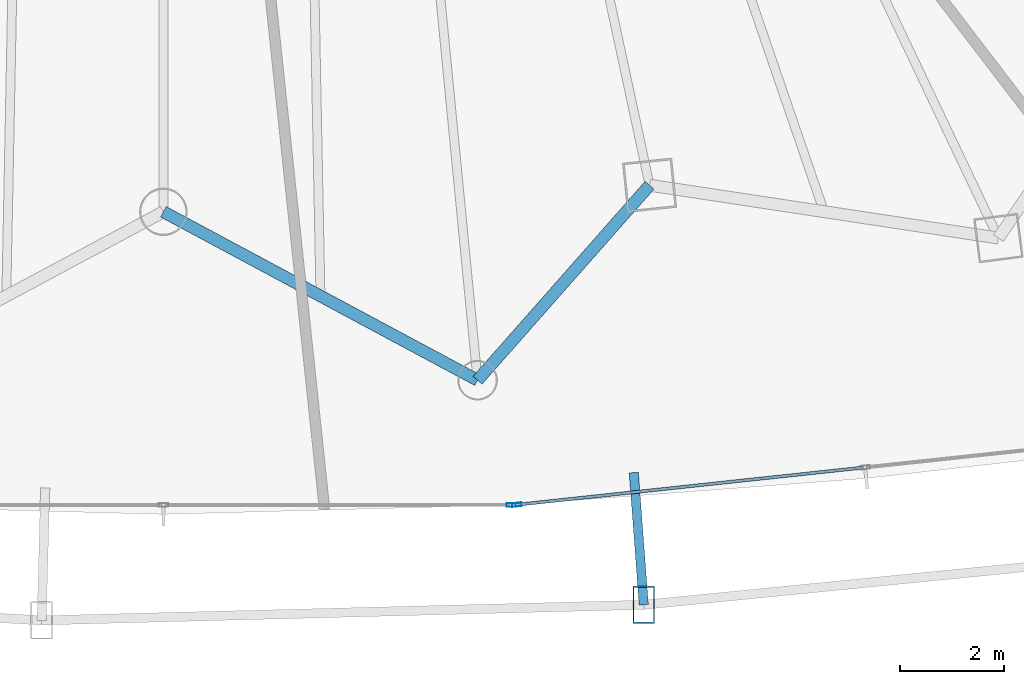
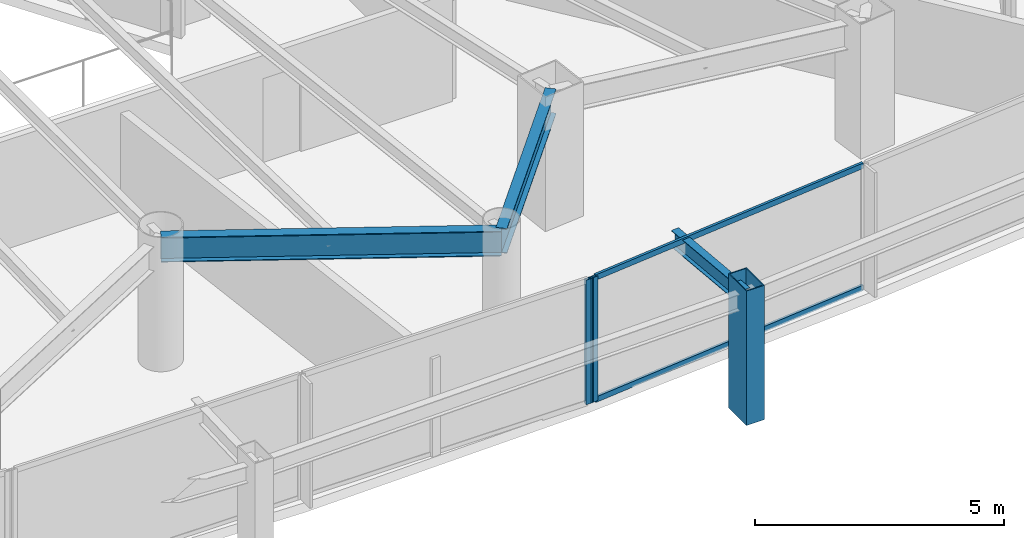
# One storey, part 13 of 35: 5 members, 3 beams, 2 elements without a shape of their own.
"""IFC4 building model written with IfcOpenShell, lengths in metres."""

from ifc_helpers import new_model, si_unit, direction, frame, origin, origin_2d, place, context, subcontext, project, spatial, hollow_rectangle, i_section, extrude, material, layer, layer_set, material_profile, profile_set, type_object, element, aggregate, save


model = new_model("IFC4")

# Units and contexts
model_context = context("Model", 3, precision=1e-05, world=origin(), true_north=direction((0.0, 1.0)))
body_context = subcontext(model_context, "Body", "Model", "MODEL_VIEW")
ifc_project = project(units=[si_unit("LENGTHUNIT", "METRE"), si_unit("AREAUNIT", "SQUARE_METRE"), si_unit("VOLUMEUNIT", "CUBIC_METRE"), si_unit("PLANEANGLEUNIT", "RADIAN"), si_unit("MASSUNIT", "GRAM", prefix="KILO")], contexts=[model_context])

# Site, building, storey
site_placement = place(None, origin())
site = spatial("IfcSite", under=ifc_project, at=site_placement, CompositionType="ELEMENT")
building_placement = place(site_placement, origin())
building = spatial("IfcBuilding", under=site, at=building_placement, Name="Orvanel Arch Residences", CompositionType="ELEMENT")
storey_placement = place(building_placement, frame((0.0, 0.0, 26.89990234375)))
storey = spatial("IfcBuildingStorey", under=building, at=storey_placement, Name="L06", CompositionType="ELEMENT", Elevation=26.89990234375)

# Member
ifc_material_1 = material(Name="Structural steel AS/NZS 3678 Grade 350", Category="steel")
ifc_material_profile_1 = material_profile(ifc_material_1, hollow_rectangle(XDim=0.419921875, YDim=0.719970703125, WallThickness=0.02490234375, at=origin_2d()), Name="RHS720x420x25")
ifc_profile_set_1 = profile_set([ifc_material_profile_1], Name="Structural steel AS/NZS 3678 Grade 350")
member_type_1 = type_object("IfcMemberType", Name="CH-720RHS-EXT", PredefinedType="CHORD", material=ifc_profile_set_1)
member_1_placement = place(storey_placement, frame((42.239013671875, -0.714111328125, 0.0), z_axis=(0.0, 0.0, 1.0), x_axis=(1.0, 0.0, 0.0)))
element("IfcMember", 1, at=member_1_placement, inside=storey, type_object=member_type_1, Name="L06 Outer Perimeter Frame Post 07", PredefinedType="CHORD", context=body_context, shape_type="SweptSolid", body=[
    extrude(hollow_rectangle(XDim=0.419921875, YDim=0.719970703125, WallThickness=0.02490234375, at=origin_2d()), origin(), (0.0, 0.0, 1.0), 3.300048828125),
])

# Curtain wall, member
ifc_material_2 = material(Name="Bronze-anodised aluminium AA6063-T6", Category="aluminium")
ifc_layer = layer(ifc_material_2, 0.179931640625)
ifc_layer_set = layer_set([ifc_layer], Name="Bronze-anodised aluminium AA6063-T6")
curtain_wall_type = type_object("IfcCurtainWallType", Name="CW2-LOW-SYS", PredefinedType="NOTDEFINED", material=ifc_layer_set)
curtain_wall_1_placement = place(storey_placement, origin())
curtain_wall_1 = element("IfcCurtainWall", 2, at=curtain_wall_1_placement, inside=storey, type_object=curtain_wall_type, Name="L06 CW2-LOW-SYS Unitised Curtain Wall", PredefinedType="NOTDEFINED")
ifc_material_profile_2 = material_profile(ifc_material_2, hollow_rectangle(XDim=0.070068359375, YDim=0.179931640625, WallThickness=0.00439453125, at=origin_2d()), Name="ALU180x70x4.5")
ifc_profile_set_2 = profile_set([ifc_material_profile_2], Name="Bronze-anodised aluminium AA6063-T6")
member_type_2 = type_object("IfcMemberType", Name="MUL-180x70", PredefinedType="MULLION", material=ifc_profile_set_2)
member_2_placement = place(storey_placement, frame((39.68896484375, 1.2041015625, 0.0), z_axis=(0.0, 0.0, 1.0), x_axis=(0.0, 1.0, 0.0)))
member_2 = element("IfcMember", 3, at=member_2_placement, type_object=member_type_2, Name="CW-S2 mullion 3", PredefinedType="MULLION", context=body_context, shape_type="SweptSolid", body=[
    extrude(hollow_rectangle(XDim=0.070068359375, YDim=0.179931640625, WallThickness=0.00439453125, at=origin_2d()), origin(), (0.0, 0.0, 1.0), 3.06005859375),
])
aggregate(curtain_wall_1, [member_2])

curtain_wall_2_placement = place(storey_placement, origin())
curtain_wall_2 = element("IfcCurtainWall", 4, at=curtain_wall_2_placement, inside=storey, type_object=curtain_wall_type, Name="L06 CW2-LOW-SYS Unitised Curtain Wall", PredefinedType="NOTDEFINED")
member_3_placement = place(storey_placement, frame((39.798828125, 1.209716796875, 0.0), z_axis=(0.0, 0.0, 1.0), x_axis=(-0.106701765481, 0.994291070685, 0.0)))
member_3 = element("IfcMember", 5, at=member_3_placement, type_object=member_type_2, Name="CW-S2 mullion 1", PredefinedType="MULLION", context=body_context, shape_type="SweptSolid", body=[
    extrude(hollow_rectangle(XDim=0.070068359375, YDim=0.179931640625, WallThickness=0.00439453125, at=origin_2d()), origin(), (0.0, 0.0, 1.0), 3.06005859375),
])

# Beams
ifc_material_3 = material(Name="Structural steel AS/NZS 3679.1 Grade 300 (300 MPa)", Category="steel")
ifc_material_profile_3 = material_profile(ifc_material_3, i_section(OverallWidth=0.177978515625, OverallDepth=0.406005859375, WebThickness=0.0078125, FlangeThickness=0.0126953125, at=origin_2d()), Name="410UB59.7")
ifc_profile_set_3 = profile_set([ifc_material_profile_3], Name="Structural steel AS/NZS 3679.1 Grade 300 (300 MPa)")
beam_type_1 = type_object("IfcBeamType", Name="OB-410UB-EXT", PredefinedType="SPANDREL", material=ifc_profile_set_3)
beam_1_placement = place(storey_placement, frame((42.047119140625, 1.8291015625, 2.857177734375), z_axis=(0.075239710465, -0.997165475721, 0.0), x_axis=(0.997165475721, 0.075239710465, 0.0)))
element("IfcBeam", 6, at=beam_1_placement, inside=storey, type_object=beam_type_1, Name="L06 Outer Frame Radial Tie Beam 07", PredefinedType="SPANDREL", context=body_context, shape_type="SweptSolid", body=[
    extrude(i_section(OverallWidth=0.177978515625, OverallDepth=0.406005859375, WebThickness=0.0078125, FlangeThickness=0.0126953125, at=origin_2d()), origin(), (0.0, 0.0, 1.0), 2.550537109375),
])
ifc_material_profile_4 = material_profile(ifc_material_3, i_section(OverallWidth=0.22900390625, OverallDepth=0.612060546875, WebThickness=0.011962890625, FlangeThickness=0.01953125, at=origin_2d()), Name="610UB125")
ifc_profile_set_4 = profile_set([ifc_material_profile_4], Name="Structural steel AS/NZS 3679.1 Grade 300 (300 MPa)")
beam_type_2 = type_object("IfcBeamType", Name="SP-610UB", PredefinedType="SPANDREL", material=ifc_profile_set_4)
beam_2_placement = place(storey_placement, frame((33.0, 6.843994140625, 2.754150390625), z_axis=(0.881344400551, -0.472474388319, 0.0), x_axis=(0.472474388319, 0.881344400551, 0.0)))
element("IfcBeam", 7, at=beam_2_placement, inside=storey, type_object=beam_type_2, Name="L06 Perimeter Spandrel Beam 07", PredefinedType="SPANDREL", context=body_context, shape_type="SweptSolid", body=[
    extrude(i_section(OverallWidth=0.22900390625, OverallDepth=0.612060546875, WebThickness=0.011962890625, FlangeThickness=0.01953125, at=origin_2d()), origin(), (0.0, 0.0, 1.0), 6.85546875),
])
beam_3_placement = place(storey_placement, frame((39.0419921875, 3.60498046875, 2.754150390625), z_axis=(0.661650698195, 0.749812212209, 0.0), x_axis=(-0.749812212209, 0.661650698195, 0.0)))
element("IfcBeam", 8, at=beam_3_placement, inside=storey, type_object=beam_type_2, Name="L06 Perimeter Spandrel Beam 08", PredefinedType="SPANDREL", context=body_context, shape_type="SweptSolid", body=[
    extrude(i_section(OverallWidth=0.22900390625, OverallDepth=0.612060546875, WebThickness=0.011962890625, FlangeThickness=0.01953125, at=origin_2d()), origin(), (0.0, 0.0, 1.0), 5.001220703125),
])

# Member
ifc_material_profile_5 = material_profile(ifc_material_2, hollow_rectangle(XDim=0.06005859375, YDim=0.135009765625, WallThickness=0.00390625, at=origin_2d()), Name="ALU135x60x4")
ifc_profile_set_5 = profile_set([ifc_material_profile_5], Name="Bronze-anodised aluminium AA6063-T6")
member_type_3 = type_object("IfcMemberType", Name="TRN-135x60", PredefinedType="USERDEFINED", material=ifc_profile_set_5)
member_4_placement = place(storey_placement, frame((39.83349609375, 1.21337890625, 0.030029296875), z_axis=(0.994290430162, 0.106707733967, 0.0), x_axis=(-0.106707733967, 0.994290430162, 0.0)))
member_4 = element("IfcMember", 9, at=member_4_placement, type_object=member_type_3, Name="CW-S2 transom 1.1", ObjectType="TRANSOM", PredefinedType="USERDEFINED", context=body_context, shape_type="SweptSolid", body=[
    extrude(hollow_rectangle(XDim=0.06005859375, YDim=0.135009765625, WallThickness=0.00390625, at=origin_2d()), origin(), (0.0, 0.0, 1.0), 6.664794921875),
])

member_5_placement = place(storey_placement, frame((39.83349609375, 1.21337890625, 3.030029296875), z_axis=(0.994290430162, 0.106707733967, 0.0), x_axis=(-0.106707733967, 0.994290430162, 0.0)))
member_5 = element("IfcMember", 10, at=member_5_placement, type_object=member_type_3, Name="CW-S2 transom 1.2", ObjectType="TRANSOM", PredefinedType="USERDEFINED", context=body_context, shape_type="SweptSolid", body=[
    extrude(hollow_rectangle(XDim=0.06005859375, YDim=0.135009765625, WallThickness=0.00390625, at=origin_2d()), origin(), (0.0, 0.0, 1.0), 6.664794921875),
])

aggregate(curtain_wall_2, [member_3, member_4, member_5])

save(model, "model.ifc")
